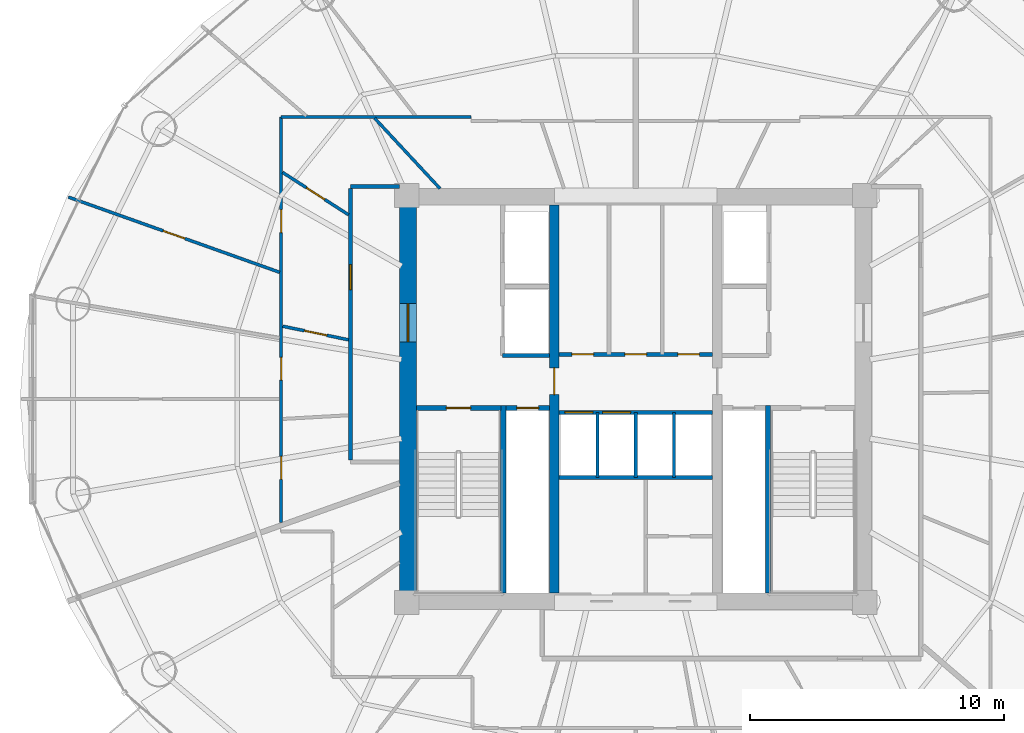
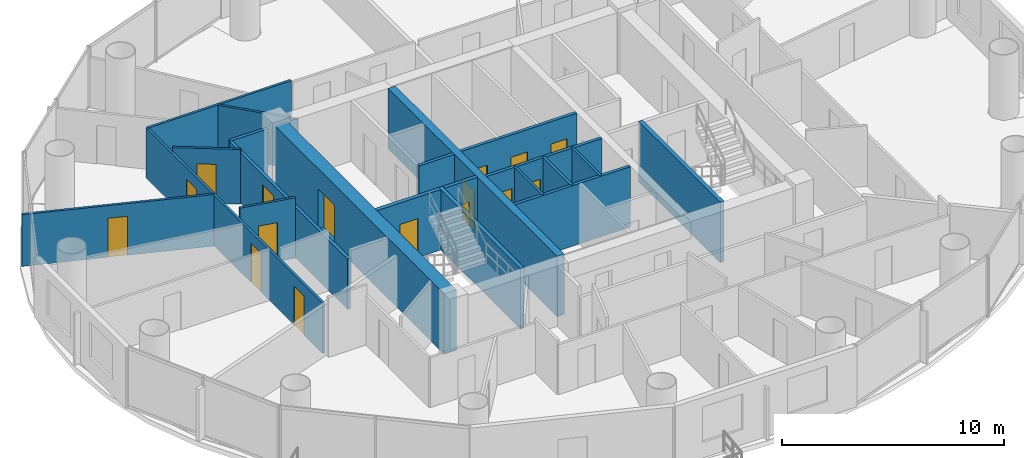
# One storey, part 22 of 27: 21 walls, 16 doors, 16 openings.
"""IFC4 building model written with IfcOpenShell, lengths in metres."""

from ifc_helpers import new_model, si_unit, direction, frame, frame_2d, origin, place, context, subcontext, project, spatial, rectangle, extrude, source, transform, mapped, material, layer, layer_set, type_object, element, fill, save


model = new_model("IFC4")

# Units and contexts
model_context = context("Model", 3, precision=1e-05, world=origin(), true_north=direction((-0.2419218956, 0.970295726276)))
body_context = subcontext(model_context, "Body", "Model", "MODEL_VIEW")
ifc_project = project(units=[si_unit("LENGTHUNIT", "METRE"), si_unit("AREAUNIT", "SQUARE_METRE"), si_unit("VOLUMEUNIT", "CUBIC_METRE"), si_unit("PLANEANGLEUNIT", "RADIAN"), si_unit("MASSUNIT", "GRAM", prefix="KILO")], contexts=[model_context])

# Site, building, storey
site_placement = place(None, origin())
site = spatial("IfcSite", under=ifc_project, at=site_placement, CompositionType="ELEMENT")
building_placement = place(site_placement, origin())
building = spatial("IfcBuilding", under=site, at=building_placement, Name="Cobrevalo Terracotta Tower", CompositionType="ELEMENT")
storey_placement = place(building_placement, frame((0.0, 0.0, 146.199951171875)))
storey = spatial("IfcBuildingStorey", under=building, at=storey_placement, Name="L38", CompositionType="ELEMENT", Elevation=146.199951171875)

# Wall, opening, door
ifc_material_1 = material(Name="Concrete C55", Category="concrete")
ifc_layer_1 = layer(ifc_material_1, 0.64990234375)
ifc_layer_set_1 = layer_set([ifc_layer_1], Name="Concrete C55")
wall_type_1 = type_object("IfcWallType", Name="Core shear wall 650 mm Concrete C55", PredefinedType="SHEAR", material=ifc_layer_set_1)
wall_1_placement = place(storey_placement, frame((29.050048828125, 19.175048828125, 0.0), z_axis=(0.0, 0.0, 1.0), x_axis=(0.0, 1.0, 0.0)))
wall_1 = element("IfcWall", 1, at=wall_1_placement, inside=storey, type_object=wall_type_1, Name="L38 west core shear wall", PredefinedType="SHEAR", context=body_context, shape_type="SweptSolid", body=[
    extrude(rectangle(XDim=15.25, YDim=0.64990234375, at=frame_2d((7.625, 0.0))), origin(), (0.0, 0.0, 1.0), 3.330078125),
])
opening_1_placement = place(wall_1_placement, frame((9.875, 0.0, 0.0)))
opening_1 = element("IfcOpeningElement", 2, at=opening_1_placement, cuts=wall_1, Name="Opening ID-14", PredefinedType="OPENING", context=body_context, shape_type="SweptSolid", body=[
    extrude(rectangle(XDim=1.5, YDim=2.199951171875, at=frame_2d((0.75, 1.10009765625))), frame((0.0, 0.3349609375, 0.0), z_axis=(0.0, -1.0, 0.0), x_axis=(1.0, 0.0, 0.0)), (0.0, 0.0, 1.0), 0.669921875),
])
ifc_material_2 = material(Name="Galvanized fire-rated steel", Category="steel")
door_type_1 = type_object("IfcDoorType", Name="Core cross-lobby double fire door 1500x2200 EI 90", OperationType="NOTDEFINED", PredefinedType="DOOR", material=ifc_material_2)
shared_shape_1 = source(origin(), body_context, "Body", "SweptSolid", [
    extrude(rectangle(XDim=1.5, YDim=2.199951171875, at=frame_2d((0.75, 1.10009765625))), frame((0.0, 0.02490234375, 0.0), z_axis=(0.0, -1.0, 0.0), x_axis=(1.0, 0.0, 0.0)), (0.0, 0.0, 1.0), 0.050048828125),
])
door_1_placement = place(opening_1_placement, origin())
door_1 = element("IfcDoor", 3, at=door_1_placement, inside=storey, type_object=door_type_1, Name="L38 west firefighting lobby entrance door", OperationType="DOUBLE_DOOR_SINGLE_SWING", OverallHeight=2.199951171875, OverallWidth=1.5, PredefinedType="DOOR", context=body_context, shape_type="MappedRepresentation", body=[
    mapped(shared_shape_1, transform((0.0, 0.0, 0.0), scale=1.0)),
])
fill(opening_1, door_1)

# Wall
ifc_material_3 = material(Name="Gypsum board on steel stud", Category="steel")
ifc_layer_2 = layer(ifc_material_3, 0.159912109375)
ifc_layer_set_2 = layer_set([ifc_layer_2], Name="Gypsum board on steel stud")
wall_type_2 = type_object("IfcWallType", Name="Fire-rated corridor acoustic partition wall 160 mm", PredefinedType="PARTITIONING", material=ifc_layer_set_2)
wall_2_placement = place(storey_placement, frame((32.77001953125, 28.52001953125, 0.0), z_axis=(0.0, 0.0, 1.0), x_axis=(1.0, 0.0, 0.0)))
element("IfcWall", 4, at=wall_2_placement, inside=storey, type_object=wall_type_2, Name="L38 interior partition IW-L38-FF1-S", PredefinedType="PARTITIONING", context=body_context, shape_type="SweptSolid", body=[
    extrude(rectangle(XDim=1.840087890625, YDim=0.159912109375, at=frame_2d((0.919921875, 0.0))), origin(), (0.0, 0.0, 1.0), 3.330078125),
])

# Wall, openings, doors
wall_3_placement = place(storey_placement, frame((34.989990234375, 28.56005859375, 0.0), z_axis=(0.0, 0.0, 1.0), x_axis=(1.0, 0.0, 0.0)))
wall_3 = element("IfcWall", 5, at=wall_3_placement, inside=storey, type_object=wall_type_2, Name="L38 interior partition IW-L38-LB-S", PredefinedType="PARTITIONING", context=body_context, shape_type="SweptSolid", body=[
    extrude(rectangle(XDim=6.02001953125, YDim=0.159912109375, at=frame_2d((3.010009765625, 0.0))), origin(), (0.0, 0.0, 1.0), 3.330078125),
])
opening_2_placement = place(wall_3_placement, frame((0.5048828125, 0.0, 0.0)))
opening_2 = element("IfcOpeningElement", 6, at=opening_2_placement, cuts=wall_3, Name="Opening ID-22", PredefinedType="OPENING", context=body_context, shape_type="SweptSolid", body=[
    extrude(rectangle(XDim=0.85009765625, YDim=2.10009765625, at=frame_2d((0.425048828125, 1.050048828125))), frame((0.0, 0.08984375, 0.0), z_axis=(0.0, -1.0, 0.0), x_axis=(1.0, 0.0, 0.0)), (0.0, 0.0, 1.0), 0.179931640625),
])
opening_3_placement = place(wall_3_placement, frame((2.580078125, 0.0, 0.0)))
opening_3 = element("IfcOpeningElement", 7, at=opening_3_placement, cuts=wall_3, Name="Opening ID-07", PredefinedType="OPENING", context=body_context, shape_type="SweptSolid", body=[
    extrude(rectangle(XDim=0.860107421875, YDim=2.10009765625, at=frame_2d((0.43017578125, 1.050048828125))), frame((0.0, 0.08984375, 0.0), z_axis=(0.0, -1.0, 0.0), x_axis=(1.0, 0.0, 0.0)), (0.0, 0.0, 1.0), 0.179931640625),
])
opening_4_placement = place(wall_3_placement, frame((4.6650390625, 0.0, 0.0)))
opening_4 = element("IfcOpeningElement", 8, at=opening_4_placement, cuts=wall_3, Name="Opening ID-22", PredefinedType="OPENING", context=body_context, shape_type="SweptSolid", body=[
    extrude(rectangle(XDim=0.85009765625, YDim=2.10009765625, at=frame_2d((0.425048828125, 1.050048828125))), frame((0.0, 0.08984375, 0.0), z_axis=(0.0, -1.0, 0.0), x_axis=(1.0, 0.0, 0.0)), (0.0, 0.0, 1.0), 0.179931640625),
])
ifc_material_4 = material(Name="Powder-coated steel", Category="steel")
door_type_2 = type_object("IfcDoorType", Name="Riser shaft & meter closet fire access door 850x2100 EI 60", OperationType="NOTDEFINED", PredefinedType="DOOR", material=ifc_material_4)
shared_shape_2 = source(origin(), body_context, "Body", "SweptSolid", [
    extrude(rectangle(XDim=0.85009765625, YDim=2.10009765625, at=frame_2d((0.425048828125, 1.050048828125))), frame((0.0, 0.02490234375, 0.0), z_axis=(0.0, -1.0, 0.0), x_axis=(1.0, 0.0, 0.0)), (0.0, 0.0, 1.0), 0.050048828125),
])
door_2_placement = place(opening_2_placement, origin())
door_2 = element("IfcDoor", 9, at=door_2_placement, inside=storey, type_object=door_type_2, Name="L38 core service door Housekeeping Linen Store", OperationType="SINGLE_SWING_LEFT", OverallHeight=2.10009765625, OverallWidth=0.85009765625, PredefinedType="DOOR", context=body_context, shape_type="MappedRepresentation", body=[
    mapped(shared_shape_2, transform((0.0, 0.0, 0.0), scale=1.0)),
])
fill(opening_2, door_2)
door_3_placement = place(opening_4_placement, origin())
door_3 = element("IfcDoor", 10, at=door_3_placement, inside=storey, type_object=door_type_2, Name="L38 core service door Floor BMS Mechanical Plant", OperationType="SINGLE_SWING_LEFT", OverallHeight=2.10009765625, OverallWidth=0.85009765625, PredefinedType="DOOR", context=body_context, shape_type="MappedRepresentation", body=[
    mapped(shared_shape_2, transform((0.0, 0.0, 0.0), scale=1.0)),
])
fill(opening_4, door_3)
ifc_material_5 = material(Name="Fire-rated moisture-sealed timber", Category="wood")
door_type_3 = type_object("IfcDoorType", Name="Core & podium fire-rated accessible WC door 860x2100 EI 60", OperationType="NOTDEFINED", PredefinedType="DOOR", material=ifc_material_5)
shared_shape_3 = source(origin(), body_context, "Body", "SweptSolid", [
    extrude(rectangle(XDim=0.860107421875, YDim=2.10009765625, at=frame_2d((0.43017578125, 1.050048828125))), frame((0.0, 0.02490234375, 0.0), z_axis=(0.0, -1.0, 0.0), x_axis=(1.0, 0.0, 0.0)), (0.0, 0.0, 1.0), 0.050048828125),
])
door_4_placement = place(opening_3_placement, origin())
door_4 = element("IfcDoor", 11, at=door_4_placement, inside=storey, type_object=door_type_3, Name="L38 core service door Floor Service Toilet WC", OperationType="SINGLE_SWING_RIGHT", OverallHeight=2.10009765625, OverallWidth=0.860107421875, PredefinedType="DOOR", context=body_context, shape_type="MappedRepresentation", body=[
    mapped(shared_shape_3, transform((0.0, 0.0, 0.0), scale=1.0)),
])
fill(opening_3, door_4)

wall_4_placement = place(storey_placement, frame((34.989990234375, 26.280029296875, 0.0), z_axis=(0.0, 0.0, 1.0), x_axis=(1.0, 0.0, 0.0)))
wall_4 = element("IfcWall", 12, at=wall_4_placement, inside=storey, type_object=wall_type_2, Name="L38 interior partition IW-L38-MB-N", PredefinedType="PARTITIONING", context=body_context, shape_type="SweptSolid", body=[
    extrude(rectangle(XDim=6.02001953125, YDim=0.159912109375, at=frame_2d((3.010009765625, 0.0))), origin(), (0.0, 0.0, 1.0), 3.330078125),
])
opening_5_placement = place(wall_4_placement, frame((0.22509765625, 0.0, 0.0)))
opening_5 = element("IfcOpeningElement", 13, at=opening_5_placement, cuts=wall_4, Name="Opening LD-01", PredefinedType="OPENING", context=body_context, shape_type="SweptSolid", body=[
    extrude(rectangle(XDim=1.10009765625, YDim=2.199951171875, at=frame_2d((0.550048828125, 1.10009765625))), frame((0.0, 0.08984375, 0.0), z_axis=(0.0, -1.0, 0.0), x_axis=(1.0, 0.0, 0.0)), (0.0, 0.0, 1.0), 0.179931640625),
])
opening_6_placement = place(wall_4_placement, frame((1.705078125, 0.0, 0.0)))
opening_6 = element("IfcOpeningElement", 14, at=opening_6_placement, cuts=wall_4, Name="Opening LD-01", PredefinedType="OPENING", context=body_context, shape_type="SweptSolid", body=[
    extrude(rectangle(XDim=1.10009765625, YDim=2.199951171875, at=frame_2d((0.550048828125, 1.10009765625))), frame((0.0, 0.08984375, 0.0), z_axis=(0.0, -1.0, 0.0), x_axis=(1.0, 0.0, 0.0)), (0.0, 0.0, 1.0), 0.179931640625),
])
ifc_material_6 = material(Name="Brushed stainless steel", Category="steel")
door_type_4 = type_object("IfcDoorType", Name="Passenger lift landing bi-parting sliding door 1100x2200 EI 90", OperationType="DOUBLE_DOOR_SLIDING", PredefinedType="DOOR", material=ifc_material_6)
shared_shape_4 = source(origin(), body_context, "Body", "SweptSolid", [
    extrude(rectangle(XDim=1.10009765625, YDim=2.199951171875, at=frame_2d((0.550048828125, 1.10009765625))), frame((0.0, 0.02490234375, 0.0), z_axis=(0.0, -1.0, 0.0), x_axis=(1.0, 0.0, 0.0)), (0.0, 0.0, 1.0), 0.050048828125),
])
door_5_placement = place(opening_5_placement, origin())
door_5 = element("IfcDoor", 15, at=door_5_placement, inside=storey, type_object=door_type_4, Name="L38 lift landing door PL-M1", OperationType="DOUBLE_DOOR_SLIDING", OverallHeight=2.199951171875, OverallWidth=1.10009765625, PredefinedType="DOOR", context=body_context, shape_type="MappedRepresentation", body=[
    mapped(shared_shape_4, transform((0.0, 0.0, 0.0), scale=1.0)),
])
fill(opening_5, door_5)
door_6_placement = place(opening_6_placement, origin())
door_6 = element("IfcDoor", 16, at=door_6_placement, inside=storey, type_object=door_type_4, Name="L38 lift landing door PL-M2", OperationType="DOUBLE_DOOR_SLIDING", OverallHeight=2.199951171875, OverallWidth=1.10009765625, PredefinedType="DOOR", context=body_context, shape_type="MappedRepresentation", body=[
    mapped(shared_shape_4, transform((0.0, 0.0, 0.0), scale=1.0)),
])
fill(opening_6, door_6)

# Wall
wall_5_placement = place(storey_placement, frame((34.989990234375, 23.719970703125, 0.0), z_axis=(0.0, 0.0, 1.0), x_axis=(1.0, 0.0, 0.0)))
element("IfcWall", 17, at=wall_5_placement, inside=storey, type_object=wall_type_2, Name="L38 interior partition IW-L38-MB-S", PredefinedType="PARTITIONING", context=body_context, shape_type="SweptSolid", body=[
    extrude(rectangle(XDim=6.02001953125, YDim=0.159912109375, at=frame_2d((3.010009765625, 0.0))), origin(), (0.0, 0.0, 1.0), 3.330078125),
])

# Wall, opening, door
wall_6_placement = place(storey_placement, frame((26.794921875, 24.39990234375, 0.0), z_axis=(0.0, 0.0, 1.0), x_axis=(0.0, 1.0, 0.0)))
wall_6 = element("IfcWall", 18, at=wall_6_placement, inside=storey, type_object=wall_type_2, Name="L38 interior partition IW-L38-COR-W", PredefinedType="PARTITIONING", context=body_context, shape_type="SweptSolid", body=[
    extrude(rectangle(XDim=10.675048828125, YDim=0.159912109375, at=frame_2d((5.33740234375, 0.0))), origin(), (0.0, 0.0, 1.0), 2.776123046875),
])
opening_7_placement = place(wall_6_placement, frame((6.702392578125, 0.0, 0.0)))
opening_7 = element("IfcOpeningElement", 19, at=opening_7_placement, cuts=wall_6, Name="Opening ID-05", PredefinedType="OPENING", context=body_context, shape_type="SweptSolid", body=[
    extrude(rectangle(XDim=0.97998046875, YDim=2.199951171875, at=frame_2d((0.489990234375, 1.10009765625))), frame((0.0, 0.08984375, 0.0), z_axis=(0.0, -1.0, 0.0), x_axis=(1.0, 0.0, 0.0)), (0.0, 0.0, 1.0), 0.179931640625),
])
ifc_material_7 = material(Name="Solid hardwood timber", Category="wood")
door_type_5 = type_object("IfcDoorType", Name="Residence entrance fire-rated acoustic timber door 980x2200 EI 60", OperationType="NOTDEFINED", PredefinedType="DOOR", material=ifc_material_7)
shared_shape_5 = source(origin(), body_context, "Body", "SweptSolid", [
    extrude(rectangle(XDim=0.97998046875, YDim=2.199951171875, at=frame_2d((0.489990234375, 1.10009765625))), frame((0.0, 0.02490234375, 0.0), z_axis=(0.0, -1.0, 0.0), x_axis=(1.0, 0.0, 0.0)), (0.0, 0.0, 1.0), 0.050048828125),
])
door_7_placement = place(opening_7_placement, origin())
door_7 = element("IfcDoor", 20, at=door_7_placement, inside=storey, type_object=door_type_5, Name="Flat L38A fire-rated apartment entrance door", OperationType="SINGLE_SWING_LEFT", OverallHeight=2.199951171875, OverallWidth=0.97998046875, PredefinedType="DOOR", context=body_context, shape_type="MappedRepresentation", body=[
    mapped(shared_shape_5, transform((0.0, 0.0, 0.0), scale=1.0)),
])
fill(opening_7, door_7)

# Wall
wall_7_placement = place(storey_placement, frame((26.794921875, 35.155029296875, 0.0), z_axis=(0.0, 0.0, 1.0), x_axis=(1.0, 0.0, 0.0)))
element("IfcWall", 21, at=wall_7_placement, inside=storey, type_object=wall_type_2, Name="L38 interior partition IW-L38-COR-WN-CAP", PredefinedType="PARTITIONING", context=body_context, shape_type="SweptSolid", body=[
    extrude(rectangle(XDim=1.93017578125, YDim=0.159912109375, at=frame_2d((0.965087890625, 0.0))), origin(), (0.0, 0.0, 1.0), 2.776123046875),
])

# Wall, opening, door
ifc_layer_3 = layer(ifc_material_3, 0.179931640625)
ifc_layer_set_3 = layer_set([ifc_layer_3], Name="Gypsum board on steel stud")
wall_type_3 = type_object("IfcWallType", Name="Fire-rated shaft & lobby acoustic partition wall 180 mm", PredefinedType="PARTITIONING", material=ifc_layer_set_3)
wall_8_placement = place(storey_placement, frame((32.89990234375, 26.449951171875, 0.0), z_axis=(0.0, 0.0, 1.0), x_axis=(1.0, 0.0, 0.0)))
wall_8 = element("IfcWall", 22, at=wall_8_placement, inside=storey, type_object=wall_type_3, Name="L38 interior partition IW-L38-RSW-N", PredefinedType="PARTITIONING", context=body_context, shape_type="SweptSolid", body=[
    extrude(rectangle(XDim=1.710205078125, YDim=0.179931640625, at=frame_2d((0.85498046875, 0.0))), origin(), (0.0, 0.0, 1.0), 3.330078125),
])
opening_8_placement = place(wall_8_placement, frame((0.429931640625, 0.0, 0.0)))
opening_8 = element("IfcOpeningElement", 23, at=opening_8_placement, cuts=wall_8, Name="Opening ID-22", PredefinedType="OPENING", context=body_context, shape_type="SweptSolid", body=[
    extrude(rectangle(XDim=0.85009765625, YDim=2.10009765625, at=frame_2d((0.425048828125, 1.050048828125))), frame((0.0, 0.10009765625, 0.0), z_axis=(0.0, -1.0, 0.0), x_axis=(1.0, 0.0, 0.0)), (0.0, 0.0, 1.0), 0.199951171875),
])
door_8_placement = place(opening_8_placement, origin())
door_8 = element("IfcDoor", 24, at=door_8_placement, inside=storey, type_object=door_type_2, Name="L38 riser access door RSW", OperationType="SINGLE_SWING_LEFT", OverallHeight=2.10009765625, OverallWidth=0.85009765625, PredefinedType="DOOR", context=body_context, shape_type="MappedRepresentation", body=[
    mapped(shared_shape_2, transform((0.0, 0.0, 0.0), scale=1.0)),
])
fill(opening_8, door_8)

# Walls
ifc_material_8 = material(Name="Autoclaved aerated concrete block", Category="concrete")
ifc_layer_4 = layer(ifc_material_8, 0.1201171875)
ifc_layer_set_4 = layer_set([ifc_layer_4], Name="Autoclaved aerated concrete block")
wall_type_4 = type_object("IfcWallType", Name="Fire-rated wet-room & core service partition 120 mm", PredefinedType="PARTITIONING", material=ifc_layer_set_4)
for number, where, z_axis, x_axis, name in (
    (25, (36.5, 23.719970703125, 0.0), (0.0, 0.0, 1.0), (0.0, 1.0, 0.0), "L38 interior partition IW-L38-MB-D1"),
    (26, (39.5, 23.719970703125, 0.0), (0.0, 0.0, 1.0), (0.0, 1.0, 0.0), "L38 interior partition IW-L38-MB-D3"),
):
    element("IfcWall", number, at=place(storey_placement, frame(where, z_axis=z_axis, x_axis=x_axis)), inside=storey, type_object=wall_type_4, Name=name, PredefinedType="PARTITIONING", context=body_context, shape_type="SweptSolid", body=[
        extrude(rectangle(XDim=2.56005859375, YDim=0.1201171875, at=frame_2d((1.280029296875, 0.0))), origin(), (0.0, 0.0, 1.0), 3.330078125),
    ])

# Wall, opening, door
ifc_material_9 = material(Name="Concrete C50", Category="concrete")
ifc_layer_5 = layer(ifc_material_9, 0.3798828125)
ifc_layer_set_5 = layer_set([ifc_layer_5], Name="Concrete C50")
wall_type_5 = type_object("IfcWallType", Name="Internal core shear web wall 380 mm Concrete C50", PredefinedType="SHEAR", material=ifc_layer_set_5)
wall_9_placement = place(storey_placement, frame((34.800048828125, 19.175048828125, 0.0), z_axis=(0.0, 0.0, 1.0), x_axis=(0.0, 1.0, 0.0)))
wall_9 = element("IfcWall", 27, at=wall_9_placement, inside=storey, type_object=wall_type_5, Name="L38 internal core shear wall WEB-W", PredefinedType="SHEAR", context=body_context, shape_type="SweptSolid", body=[
    extrude(rectangle(XDim=15.25, YDim=0.3798828125, at=frame_2d((7.625, 0.0))), origin(), (0.0, 0.0, 1.0), 3.330078125),
])
opening_9_placement = place(wall_9_placement, frame((7.800048828125, 0.0, 0.0)))
opening_9 = element("IfcOpeningElement", 28, at=opening_9_placement, cuts=wall_9, Name="Opening ID-11", PredefinedType="OPENING", context=body_context, shape_type="SweptSolid", body=[
    extrude(rectangle(XDim=1.050048828125, YDim=2.14990234375, at=frame_2d((0.52490234375, 1.074951171875))), frame((0.0, 0.199951171875, 0.0), z_axis=(0.0, -1.0, 0.0), x_axis=(1.0, 0.0, 0.0)), (0.0, 0.0, 1.0), 0.39990234375),
])
door_type_6 = type_object("IfcDoorType", Name="Core concourse cross fire door 1050x2150 EI 90", OperationType="NOTDEFINED", PredefinedType="DOOR", material=ifc_material_2)
shared_shape_6 = source(origin(), body_context, "Body", "SweptSolid", [
    extrude(rectangle(XDim=1.050048828125, YDim=2.14990234375, at=frame_2d((0.52490234375, 1.074951171875))), frame((0.0, 0.02490234375, 0.0), z_axis=(0.0, -1.0, 0.0), x_axis=(1.0, 0.0, 0.0)), (0.0, 0.0, 1.0), 0.050048828125),
])
door_9_placement = place(opening_9_placement, origin())
door_9 = element("IfcDoor", 29, at=door_9_placement, inside=storey, type_object=door_type_6, Name="L38 west core concourse cross door", OperationType="SINGLE_SWING_LEFT", OverallHeight=2.14990234375, OverallWidth=1.050048828125, PredefinedType="DOOR", context=body_context, shape_type="MappedRepresentation", body=[
    mapped(shared_shape_6, transform((0.0, 0.0, 0.0), scale=1.0)),
])
fill(opening_9, door_9)

# Wall
ifc_layer_6 = layer(ifc_material_8, 0.139892578125)
ifc_layer_set_6 = layer_set([ifc_layer_6], Name="Autoclaved aerated concrete block")
wall_type_6 = type_object("IfcWallType", Name="Moisture-resistant wet-room & core service partition 140 mm", PredefinedType="PARTITIONING", material=ifc_layer_set_6)
wall_10_placement = place(storey_placement, frame((38.0, 23.719970703125, 0.0), z_axis=(0.0, 0.0, 1.0), x_axis=(0.0, 1.0, 0.0)))
element("IfcWall", 30, at=wall_10_placement, inside=storey, type_object=wall_type_6, Name="L38 interior partition IW-L38-MB-D2", PredefinedType="PARTITIONING", context=body_context, shape_type="SweptSolid", body=[
    extrude(rectangle(XDim=2.56005859375, YDim=0.139892578125, at=frame_2d((1.280029296875, 0.0))), origin(), (0.0, 0.0, 1.0), 3.330078125),
])

# Wall, openings, doors
ifc_layer_7 = layer(ifc_material_3, 0.1201171875)
ifc_layer_set_7 = layer_set([ifc_layer_7], Name="Gypsum board on steel stud")
wall_type_7 = type_object("IfcWallType", Name="Residential internal acoustic stud partition 120 mm", PredefinedType="PARTITIONING", material=ifc_layer_set_7)
wall_11_placement = place(storey_placement, frame((24.06494140625, 21.94091796875, 0.0), z_axis=(0.0, 0.0, 1.0), x_axis=(0.0, 1.0, 0.0)))
wall_11 = element("IfcWall", 31, at=wall_11_placement, inside=storey, type_object=wall_type_7, Name="L38 interior partition IW-L38-U1-RING0_0", PredefinedType="PARTITIONING", context=body_context, shape_type="SweptSolid", body=[
    extrude(rectangle(XDim=15.944091796875, YDim=0.1201171875, at=frame_2d((7.97216796875, 0.0))), origin(), (0.0, 0.0, 1.0), 2.776123046875),
])
opening_10_placement = place(wall_11_placement, frame((5.60205078125, 0.0, 0.0)))
opening_10 = element("IfcOpeningElement", 32, at=opening_10_placement, cuts=wall_11, Name="Opening ID-12", PredefinedType="OPENING", context=body_context, shape_type="SweptSolid", body=[
    extrude(rectangle(XDim=0.89990234375, YDim=2.14990234375, at=frame_2d((0.449951171875, 1.074951171875))), frame((0.0, 0.070068359375, 0.0), z_axis=(0.0, -1.0, 0.0), x_axis=(1.0, 0.0, 0.0)), (0.0, 0.0, 1.0), 0.14013671875),
])
opening_11_placement = place(wall_11_placement, frame((1.707275390625, 0.0, 0.0)))
opening_11 = element("IfcOpeningElement", 33, at=opening_11_placement, cuts=wall_11, Name="Opening ID-12", PredefinedType="OPENING", context=body_context, shape_type="SweptSolid", body=[
    extrude(rectangle(XDim=0.89990234375, YDim=2.14990234375, at=frame_2d((0.449951171875, 1.074951171875))), frame((0.0, 0.070068359375, 0.0), z_axis=(0.0, -1.0, 0.0), x_axis=(1.0, 0.0, 0.0)), (0.0, 0.0, 1.0), 0.14013671875),
])
opening_12_placement = place(wall_11_placement, frame((11.401611328125, 0.0, 0.0)))
opening_12 = element("IfcOpeningElement", 34, at=opening_12_placement, cuts=wall_11, Name="Opening ID-12", PredefinedType="OPENING", context=body_context, shape_type="SweptSolid", body=[
    extrude(rectangle(XDim=0.89990234375, YDim=2.14990234375, at=frame_2d((0.449951171875, 1.074951171875))), frame((0.0, 0.070068359375, 0.0), z_axis=(0.0, -1.0, 0.0), x_axis=(1.0, 0.0, 0.0)), (0.0, 0.0, 1.0), 0.14013671875),
])
ifc_material_10 = material(Name="Engineered timber", Category="wood")
door_type_7 = type_object("IfcDoorType", Name="Internal residence & suite timber door 900x2150", OperationType="NOTDEFINED", PredefinedType="DOOR", material=ifc_material_10)
shared_shape_7 = source(origin(), body_context, "Body", "SweptSolid", [
    extrude(rectangle(XDim=0.89990234375, YDim=2.14990234375, at=frame_2d((0.449951171875, 1.074951171875))), frame((0.0, 0.02490234375, 0.0), z_axis=(0.0, -1.0, 0.0), x_axis=(1.0, 0.0, 0.0)), (0.0, 0.0, 1.0), 0.050048828125),
])
door_10_placement = place(opening_10_placement, origin())
door_10 = element("IfcDoor", 35, at=door_10_placement, inside=storey, type_object=door_type_7, Name="Flat L38A Penthouse Family Lounge internal door", OperationType="SINGLE_SWING_RIGHT", OverallHeight=2.14990234375, OverallWidth=0.89990234375, PredefinedType="DOOR", context=body_context, shape_type="MappedRepresentation", body=[
    mapped(shared_shape_7, transform((0.0, 0.0, 0.0), scale=1.0)),
])
fill(opening_10, door_10)
door_11_placement = place(opening_11_placement, frame((0.89990234375, 0.0, 0.0), z_axis=(0.0, 0.0, 1.0), x_axis=(-1.0, 0.0, 0.0)))
door_11 = element("IfcDoor", 36, at=door_11_placement, inside=storey, type_object=door_type_7, Name="Flat L38A Private Library Meeting Room internal door", OperationType="SINGLE_SWING_RIGHT", OverallHeight=2.14990234375, OverallWidth=0.89990234375, PredefinedType="DOOR", context=body_context, shape_type="MappedRepresentation", body=[
    mapped(shared_shape_7, transform((0.0, 0.0, 0.0), scale=1.0)),
])
fill(opening_11, door_11)
door_12_placement = place(opening_12_placement, origin())
door_12 = element("IfcDoor", 37, at=door_12_placement, inside=storey, type_object=door_type_7, Name="Flat L38A Principal Guest Bedroom internal door", OperationType="SINGLE_SWING_LEFT", OverallHeight=2.14990234375, OverallWidth=0.89990234375, PredefinedType="DOOR", context=body_context, shape_type="MappedRepresentation", body=[
    mapped(shared_shape_7, transform((0.0, 0.0, 0.0), scale=1.0)),
])
fill(opening_12, door_12)

# Wall
wall_12_placement = place(storey_placement, frame((24.06494140625, 37.885009765625, 0.0), z_axis=(0.0, 0.0, 1.0), x_axis=(1.0, 0.0, 0.0)))
element("IfcWall", 38, at=wall_12_placement, inside=storey, type_object=wall_type_7, Name="L38 interior partition IW-L38-U1-RING1_0", PredefinedType="PARTITIONING", context=body_context, shape_type="SweptSolid", body=[
    extrude(rectangle(XDim=7.469970703125, YDim=0.1201171875, at=frame_2d((3.73486328125, 0.0))), origin(), (0.0, 0.0, 1.0), 2.776123046875),
])

# Wall, opening, door
wall_13_placement = place(storey_placement, frame((24.006591796875, 31.781982421875, 0.0), z_axis=(0.0, 0.0, 1.0), x_axis=(-0.942077868165, 0.335394231187, 0.0)))
wall_13 = element("IfcWall", 39, at=wall_13_placement, inside=storey, type_object=wall_type_7, Name="L38 interior partition IW-L38-U1-ORAD2", PredefinedType="PARTITIONING", context=body_context, shape_type="SweptSolid", body=[
    extrude(rectangle(XDim=8.816650390625, YDim=0.1201171875, at=frame_2d((4.408203125, 0.0))), origin(), (0.0, 0.0, 1.0), 2.845947265625),
])
opening_13_placement = place(wall_13_placement, frame((3.95849609375, 0.0, 0.0)))
opening_13 = element("IfcOpeningElement", 40, at=opening_13_placement, cuts=wall_13, Name="Opening ID-12", PredefinedType="OPENING", context=body_context, shape_type="SweptSolid", body=[
    extrude(rectangle(XDim=0.89990234375, YDim=2.14990234375, at=frame_2d((0.449951171875, 1.074951171875))), frame((0.0, 0.070068359375, 0.0), z_axis=(0.0, -1.0, 0.0), x_axis=(1.0, 0.0, 0.0)), (0.0, 0.0, 1.0), 0.14013671875),
])
door_13_placement = place(opening_13_placement, origin())
door_13 = element("IfcDoor", 41, at=door_13_placement, inside=storey, type_object=door_type_7, Name="Flat L38A North Bedroom internal door", OperationType="SINGLE_SWING_RIGHT", OverallHeight=2.14990234375, OverallWidth=0.89990234375, PredefinedType="DOOR", context=body_context, shape_type="MappedRepresentation", body=[
    mapped(shared_shape_7, transform((0.0, 0.0, 0.0), scale=1.0)),
])
fill(opening_13, door_13)

# Wall
wall_14_placement = place(storey_placement, frame((30.307373046875, 35.074951171875, 0.0), z_axis=(0.0, 0.0, 1.0), x_axis=(-0.68082810609, 0.732443233267, 0.0)))
element("IfcWall", 42, at=wall_14_placement, inside=storey, type_object=wall_type_7, Name="L38 interior partition IW-L38-U1-IRAD2", PredefinedType="PARTITIONING", context=body_context, shape_type="SweptSolid", body=[
    extrude(rectangle(XDim=3.774658203125, YDim=0.1201171875, at=frame_2d((1.88720703125, 0.0))), origin(), (0.0, 0.0, 1.0), 2.776123046875),
])

# Wall, opening, door
wall_15_placement = place(storey_placement, frame((26.715087890625, 34.04296875, 0.0), z_axis=(0.0, 0.0, 1.0), x_axis=(-0.841597086151, 0.540105864235, 0.0)))
wall_15 = element("IfcWall", 43, at=wall_15_placement, inside=storey, type_object=wall_type_7, Name="L38 interior partition IW-L38-U1-IRAD3", PredefinedType="PARTITIONING", context=body_context, shape_type="SweptSolid", body=[
    extrude(rectangle(XDim=3.0869140625, YDim=0.1201171875, at=frame_2d((1.54345703125, 0.0))), origin(), (0.0, 0.0, 1.0), 3.005126953125),
])
opening_14_placement = place(wall_15_placement, frame((1.11328125, 0.0, 0.0)))
opening_14 = element("IfcOpeningElement", 44, at=opening_14_placement, cuts=wall_15, Name="Opening ID-19", PredefinedType="OPENING", context=body_context, shape_type="SweptSolid", body=[
    extrude(rectangle(XDim=0.860107421875, YDim=2.14990234375, at=frame_2d((0.43017578125, 1.074951171875))), frame((0.0, 0.070068359375, 0.0), z_axis=(0.0, -1.0, 0.0), x_axis=(1.0, 0.0, 0.0)), (0.0, 0.0, 1.0), 0.14013671875),
])
ifc_material_11 = material(Name="Moisture-sealed timber", Category="wood")
door_type_8 = type_object("IfcDoorType", Name="Suite bathroom internal timber door 860x2150", OperationType="NOTDEFINED", PredefinedType="DOOR", material=ifc_material_11)
shared_shape_8 = source(origin(), body_context, "Body", "SweptSolid", [
    extrude(rectangle(XDim=0.860107421875, YDim=2.14990234375, at=frame_2d((0.43017578125, 1.074951171875))), frame((0.0, 0.02490234375, 0.0), z_axis=(0.0, -1.0, 0.0), x_axis=(1.0, 0.0, 0.0)), (0.0, 0.0, 1.0), 0.050048828125),
])
door_14_placement = place(opening_14_placement, frame((0.860107421875, 0.0, 0.0), z_axis=(0.0, 0.0, 1.0), x_axis=(-1.0, 0.0, 0.0)))
door_14 = element("IfcDoor", 45, at=door_14_placement, inside=storey, type_object=door_type_8, Name="Flat L38A Primary Bathroom internal door", OperationType="SINGLE_SWING_RIGHT", OverallHeight=2.14990234375, OverallWidth=0.860107421875, PredefinedType="DOOR", context=body_context, shape_type="MappedRepresentation", body=[
    mapped(shared_shape_8, transform((0.0, 0.0, 0.0), scale=1.0)),
])
fill(opening_14, door_14)

wall_16_placement = place(storey_placement, frame((26.715087890625, 29.128662109375, 0.0), z_axis=(0.0, 0.0, 1.0), x_axis=(-0.979376501526, 0.202043728582, 0.0)))
wall_16 = element("IfcWall", 46, at=wall_16_placement, inside=storey, type_object=wall_type_7, Name="L38 interior partition IW-L38-U1-IRAD4", PredefinedType="PARTITIONING", context=body_context, shape_type="SweptSolid", body=[
    extrude(rectangle(XDim=2.643798828125, YDim=0.1201171875, at=frame_2d((1.32177734375, 0.0))), origin(), (0.0, 0.0, 1.0), 3.330078125),
])
opening_15_placement = place(wall_16_placement, frame((0.871826171875, 0.0, 0.0)))
opening_15 = element("IfcOpeningElement", 47, at=opening_15_placement, cuts=wall_16, Name="Opening ID-12", PredefinedType="OPENING", context=body_context, shape_type="SweptSolid", body=[
    extrude(rectangle(XDim=0.89990234375, YDim=2.14990234375, at=frame_2d((0.449951171875, 1.074951171875))), frame((0.0, 0.070068359375, 0.0), z_axis=(0.0, -1.0, 0.0), x_axis=(1.0, 0.0, 0.0)), (0.0, 0.0, 1.0), 0.14013671875),
])
door_15_placement = place(opening_15_placement, origin())
door_15 = element("IfcDoor", 48, at=door_15_placement, inside=storey, type_object=door_type_7, Name="Flat L38A Kitchen internal door", OperationType="SINGLE_SWING_LEFT", OverallHeight=2.14990234375, OverallWidth=0.89990234375, PredefinedType="DOOR", context=body_context, shape_type="MappedRepresentation", body=[
    mapped(shared_shape_7, transform((0.0, 0.0, 0.0), scale=1.0)),
])
fill(opening_15, door_15)

# Wall
ifc_layer_8 = layer(ifc_material_9, 0.199951171875)
ifc_layer_set_8 = layer_set([ifc_layer_8], Name="Concrete C50")
wall_type_8 = type_object("IfcWallType", Name="Structural core & podium stair-shaft RC wall 200 mm Concrete C50", PredefinedType="SOLIDWALL", material=ifc_layer_set_8)
wall_17_placement = place(storey_placement, frame((32.794921875, 19.175048828125, 0.0), z_axis=(0.0, 0.0, 1.0), x_axis=(0.0, 1.0, 0.0)))
element("IfcWall", 49, at=wall_17_placement, inside=storey, type_object=wall_type_8, Name="L38 ST-1 east structural shaft wall", PredefinedType="SOLIDWALL", context=body_context, shape_type="SweptSolid", body=[
    extrude(rectangle(XDim=7.375, YDim=0.199951171875, at=frame_2d((3.6875, 0.0))), origin(), (0.0, 0.0, 1.0), 3.330078125),
])

# Wall, opening, door
wall_18_placement = place(storey_placement, frame((29.375, 26.449951171875, 0.0), z_axis=(0.0, 0.0, 1.0), x_axis=(1.0, 0.0, 0.0)))
wall_18 = element("IfcWall", 50, at=wall_18_placement, inside=storey, type_object=wall_type_8, Name="L38 ST-1 north structural shaft wall", PredefinedType="SOLIDWALL", context=body_context, shape_type="SweptSolid", body=[
    extrude(rectangle(XDim=3.320068359375, YDim=0.199951171875, at=frame_2d((1.66015625, 0.0))), origin(), (0.0, 0.0, 1.0), 3.330078125),
])
opening_16_placement = place(wall_18_placement, frame((1.18505859375, 0.0, 0.0)))
opening_16 = element("IfcOpeningElement", 51, at=opening_16_placement, cuts=wall_18, Name="Opening ID-04", PredefinedType="OPENING", context=body_context, shape_type="SweptSolid", body=[
    extrude(rectangle(XDim=0.949951171875, YDim=2.14990234375, at=frame_2d((0.47509765625, 1.074951171875))), frame((0.0, 0.10986328125, 0.0), z_axis=(0.0, -1.0, 0.0), x_axis=(1.0, 0.0, 0.0)), (0.0, 0.0, 1.0), 0.219970703125),
])
door_type_9 = type_object("IfcDoorType", Name="Stair & firefighting lobby fire door 950x2150 EI 90", OperationType="NOTDEFINED", PredefinedType="DOOR", material=ifc_material_2)
shared_shape_9 = source(origin(), body_context, "Body", "SweptSolid", [
    extrude(rectangle(XDim=0.949951171875, YDim=2.14990234375, at=frame_2d((0.47509765625, 1.074951171875))), frame((0.0, 0.02490234375, 0.0), z_axis=(0.0, -1.0, 0.0), x_axis=(1.0, 0.0, 0.0)), (0.0, 0.0, 1.0), 0.050048828125),
])
door_16_placement = place(opening_16_placement, origin())
door_16 = element("IfcDoor", 52, at=door_16_placement, inside=storey, type_object=door_type_9, Name="L38 protected stair ST1 fire door", OperationType="SINGLE_SWING_LEFT", OverallHeight=2.14990234375, OverallWidth=0.949951171875, PredefinedType="DOOR", context=body_context, shape_type="MappedRepresentation", body=[
    mapped(shared_shape_9, transform((0.0, 0.0, 0.0), scale=1.0)),
])
fill(opening_16, door_16)

# Wall
wall_19_placement = place(storey_placement, frame((43.205078125, 19.175048828125, 0.0), z_axis=(0.0, 0.0, 1.0), x_axis=(0.0, 1.0, 0.0)))
element("IfcWall", 53, at=wall_19_placement, inside=storey, type_object=wall_type_8, Name="L38 ST-2 west structural shaft wall", PredefinedType="SOLIDWALL", context=body_context, shape_type="SweptSolid", body=[
    extrude(rectangle(XDim=7.375, YDim=0.199951171875, at=frame_2d((3.6875, 0.0))), origin(), (0.0, 0.0, 1.0), 3.330078125),
])

save(model, "model.ifc")
